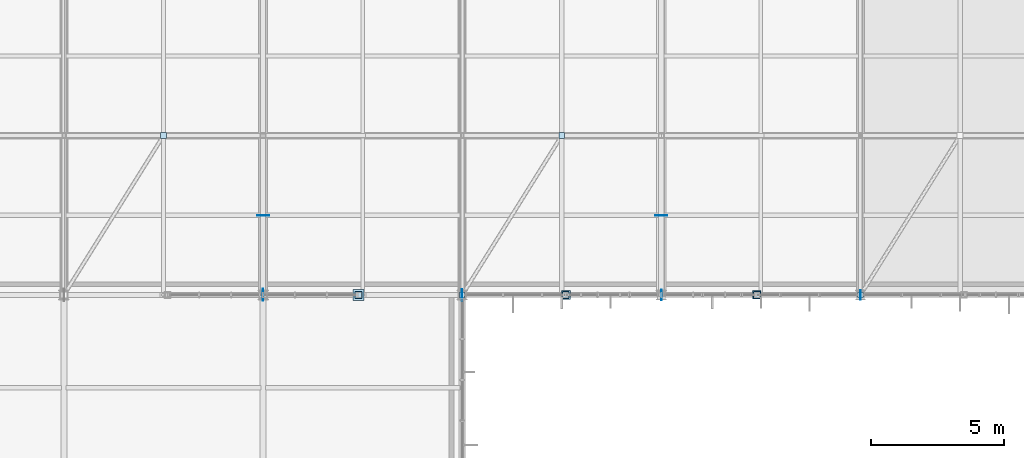
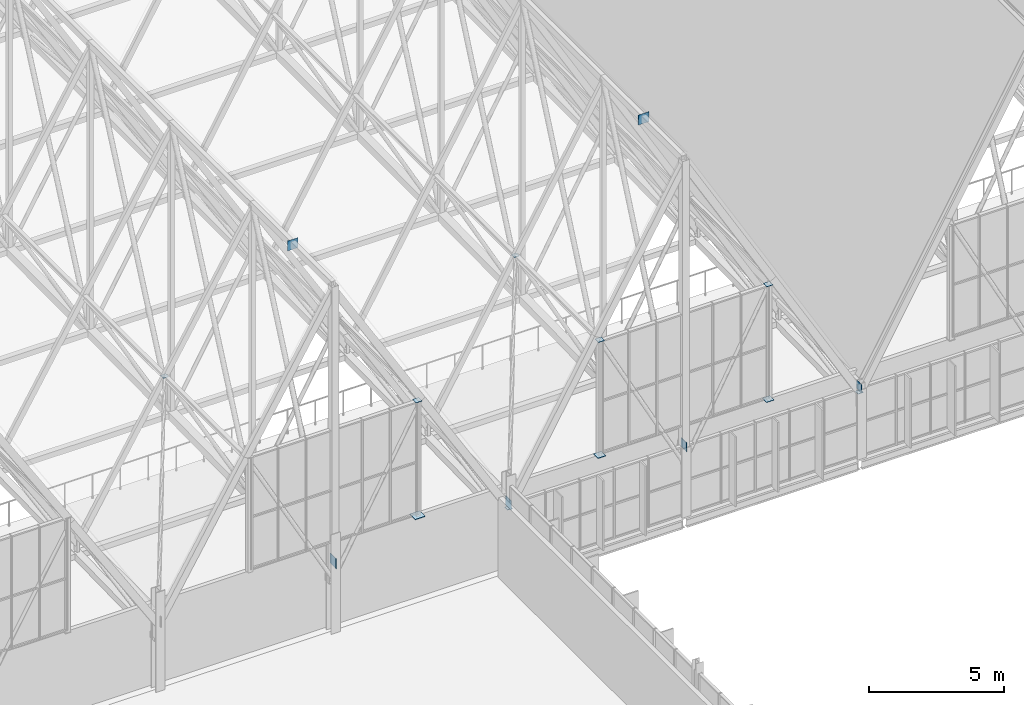
# One storey, part 293 of 324: 16 plates.
"""IFC4 building model written with IfcOpenShell, lengths in metres."""

from ifc_helpers import new_model, si_unit, direction, frame, origin, origin_2d, place, context, subcontext, project, spatial, rectangle, extrude, material, layer, layer_set, type_object, element, save


model = new_model("IFC4")

# Units and contexts
model_context = context("Model", 3, precision=1e-05, world=origin(), true_north=direction((0.0, 1.0)))
body_context = subcontext(model_context, "Body", "Model", "MODEL_VIEW")
ifc_project = project(units=[si_unit("LENGTHUNIT", "METRE"), si_unit("AREAUNIT", "SQUARE_METRE"), si_unit("VOLUMEUNIT", "CUBIC_METRE"), si_unit("PLANEANGLEUNIT", "RADIAN"), si_unit("MASSUNIT", "GRAM", prefix="KILO")], contexts=[model_context])

# Site, building, storey
site_placement = place(None, origin())
site = spatial("IfcSite", under=ifc_project, at=site_placement, CompositionType="ELEMENT")
building_placement = place(site_placement, origin())
building = spatial("IfcBuilding", under=site, at=building_placement, Name="Solvenia Promenade Tram Depot", CompositionType="ELEMENT")
storey_placement = place(building_placement, frame((0.0, 0.0, 4.5)))
storey = spatial("IfcBuildingStorey", under=building, at=storey_placement, Name="L01", CompositionType="ELEMENT", Elevation=4.5)

# Plates
ifc_material = material(Name="Structural steel ASTM A572 Gr. 50", Category="steel")
ifc_layer_1 = layer(ifc_material, 0.02392578125, Name="Structural steel ASTM A572 Gr. 50", Category="steel")
ifc_layer_set_1 = layer_set([ifc_layer_1], Name="Structural steel ASTM A572 Gr. 50")
plate_type_1 = type_object("IfcPlateType", Name="EndCap-CP1", PredefinedType="SHEET", material=ifc_layer_set_1)
plate_1_placement = place(storey_placement, frame((41.10009765625, 66.0, 3.93798828125), z_axis=(0.0, 0.0, 1.0), x_axis=(1.0, 0.0, 0.0)))
element("IfcPlate", 1, at=plate_1_placement, inside=storey, type_object=plate_type_1, Name="Gable Jamb Bottom Cap Plate 012", PredefinedType="SHEET", context=body_context, shape_type="SweptSolid", body=[
    extrude(rectangle(XDim=0.419921875, YDim=0.419921875, at=origin_2d()), origin(), (0.0, 0.0, 1.0), 0.02392578125),
])
ifc_layer_2 = layer(ifc_material, 0.02001953125, Name="Structural steel ASTM A572 Gr. 50", Category="steel")
ifc_layer_set_2 = layer_set([ifc_layer_2], Name="Structural steel ASTM A572 Gr. 50")
plate_type_2 = type_object("IfcPlateType", Name="EndCap-CP4", PredefinedType="SHEET", material=ifc_layer_set_2)
plate_2_placement = place(storey_placement, frame((41.10009765625, 66.0, 9.141845703125), z_axis=(0.0, 0.0, 1.0), x_axis=(1.0, 0.0, 0.0)))
element("IfcPlate", 2, at=plate_2_placement, inside=storey, type_object=plate_type_2, Name="Gable Jamb Top Cap Plate 012", PredefinedType="SHEET", context=body_context, shape_type="SweptSolid", body=[
    extrude(rectangle(XDim=0.260009765625, YDim=0.260009765625, at=origin_2d()), origin(), (0.0, 0.0, 1.0), 0.01611328125),
])
plate_3_placement = place(storey_placement, frame((48.89990234375, 66.0, 3.93994140625), z_axis=(0.0, 0.0, 1.0), x_axis=(1.0, 0.0, 0.0)))
element("IfcPlate", 3, at=plate_3_placement, inside=storey, type_object=plate_type_2, Name="Gable Jamb Bottom Cap Plate 015", PredefinedType="SHEET", context=body_context, shape_type="SweptSolid", body=[
    extrude(rectangle(XDim=0.340087890625, YDim=0.340087890625, at=origin_2d()), origin(), (0.0, 0.0, 1.0), 0.02001953125),
])
for number, where, z_axis, x_axis, name in (
    (4, (48.89990234375, 66.0, 9.141845703125), (0.0, 0.0, 1.0), (1.0, 0.0, 0.0), "Gable Jamb Top Cap Plate 015"),
    (5, (56.10009765625, 66.0, 9.141845703125), (0.0, 0.0, 1.0), (1.0, 0.0, 0.0), "Gable Jamb Top Cap Plate 016"),
):
    element("IfcPlate", number, at=place(storey_placement, frame(where, z_axis=z_axis, x_axis=x_axis)), inside=storey, type_object=plate_type_2, Name=name, PredefinedType="SHEET", context=body_context, shape_type="SweptSolid", body=[
        extrude(rectangle(XDim=0.260009765625, YDim=0.260009765625, at=origin_2d()), origin(), (0.0, 0.0, 1.0), 0.01611328125),
    ])
ifc_layer_3 = layer(ifc_material, 0.01904296875, Name="Structural steel ASTM A572 Gr. 50", Category="steel")
ifc_layer_set_3 = layer_set([ifc_layer_3], Name="Structural steel ASTM A572 Gr. 50")
plate_type_3 = type_object("IfcPlateType", Name="EndCap-CP5", PredefinedType="SHEET", material=ifc_layer_set_3)
for number, where, z_axis, x_axis, name in (
    (6, (33.75, 72.0, 9.169189453125), (0.0, 0.0, 1.0), (1.0, 0.0, 0.0), "Roof Brace Node Plate 005B"),
    (7, (45.0, 66.0, 2.91162109375), (0.0, 0.0, 1.0), (1.0, 0.0, 0.0), "Roof Brace Node Plate 007A"),
    (8, (48.75, 72.0, 9.380615234375), (0.0, 0.0, 1.0), (1.0, 0.0, 0.0), "Roof Brace Node Plate 007B"),
    (9, (60.0, 66.0, 2.90673828125), (0.0, 0.0, 1.0), (1.0, 0.0, 0.0), "Roof Brace Node Plate 009A"),
):
    element("IfcPlate", number, at=place(storey_placement, frame(where, z_axis=z_axis, x_axis=x_axis)), inside=storey, type_object=plate_type_3, Name=name, PredefinedType="SHEET", context=body_context, shape_type="SweptSolid", body=[
        extrude(rectangle(XDim=0.219970703125, YDim=0.219970703125, at=origin_2d()), origin(), (0.0, 0.0, 1.0), 0.01904296875),
    ])
plate_4_placement = place(storey_placement, frame((56.10009765625, 66.0, 3.9404296875), z_axis=(0.0, 0.0, 1.0), x_axis=(1.0, 0.0, 0.0)))
element("IfcPlate", 10, at=plate_4_placement, inside=storey, type_object=plate_type_3, Name="Gable Jamb Bottom Cap Plate 016", PredefinedType="SHEET", context=body_context, shape_type="SweptSolid", body=[
    extrude(rectangle(XDim=0.320068359375, YDim=0.320068359375, at=origin_2d()), origin(), (0.0, 0.0, 1.0), 0.01904296875),
])
ifc_layer_4 = layer(ifc_material, 0.01708984375, Name="Structural steel ASTM A572 Gr. 50", Category="steel")
ifc_layer_set_4 = layer_set([ifc_layer_4], Name="Structural steel ASTM A572 Gr. 50")
plate_type_4 = type_object("IfcPlateType", Name="Gusset-GP10", PredefinedType="USERDEFINED", material=ifc_layer_set_4)
plate_5_placement = place(storey_placement, frame((60.0, 66.0, 2.96484375), z_axis=(0.0, 0.0, 1.0), x_axis=(1.0, 0.0, 0.0)))
element("IfcPlate", 11, at=plate_5_placement, inside=storey, type_object=plate_type_4, Name="Arched Truss Shoe Gusset 9S", ObjectType="GUSSET PLATE", PredefinedType="USERDEFINED", context=body_context, shape_type="SweptSolid", body=[
    extrude(rectangle(XDim=0.01708984375, YDim=0.3701171875, at=origin_2d()), origin(), (0.0, 0.0, 1.0), 0.3701171875),
])
ifc_layer_5 = layer(ifc_material, 0.02392578125, Name="Structural steel ASTM A572 Gr. 50", Category="steel")
ifc_layer_set_5 = layer_set([ifc_layer_5], Name="Structural steel ASTM A572 Gr. 50")
plate_type_5 = type_object("IfcPlateType", Name="Gusset-GP4", PredefinedType="USERDEFINED", material=ifc_layer_set_5)
for number, where, z_axis, x_axis, name in (
    (12, (37.5, 69.0, 15.421875), (0.0, 0.0, 1.0), (1.0, 0.0, 0.0), "Ridge Node Gusset T06-S01"),
    (13, (52.5, 69.0, 15.86279296875), (0.0, 0.0, 1.0), (1.0, 0.0, 0.0), "Ridge Node Gusset T08-S01"),
):
    element("IfcPlate", number, at=place(storey_placement, frame(where, z_axis=z_axis, x_axis=x_axis)), inside=storey, type_object=plate_type_5, Name=name, ObjectType="GUSSET PLATE", PredefinedType="USERDEFINED", context=body_context, shape_type="SweptSolid", body=[
        extrude(rectangle(XDim=0.449951171875, YDim=0.02001953125, at=origin_2d()), origin(), (0.0, 0.0, 1.0), 0.449951171875),
    ])
ifc_layer_6 = layer(ifc_material, 0.02001953125, Name="Structural steel ASTM A572 Gr. 50", Category="steel")
ifc_layer_set_6 = layer_set([ifc_layer_6], Name="Structural steel ASTM A572 Gr. 50")
plate_type_6 = type_object("IfcPlateType", Name="Gusset-GP7", PredefinedType="USERDEFINED", material=ifc_layer_set_6)
plate_6_placement = place(storey_placement, frame((37.5, 66.0, 2.9248046875), z_axis=(0.0, 0.0, 1.0), x_axis=(1.0, 0.0, 0.0)))
element("IfcPlate", 14, at=plate_6_placement, inside=storey, type_object=plate_type_6, Name="Arched Truss Shoe Gusset 6S", ObjectType="GUSSET PLATE", PredefinedType="USERDEFINED", context=body_context, shape_type="SweptSolid", body=[
    extrude(rectangle(XDim=0.02001953125, YDim=0.449951171875, at=origin_2d()), origin(), (0.0, 0.0, 1.0), 0.449951171875),
])
ifc_layer_7 = layer(ifc_material, 0.01904296875, Name="Structural steel ASTM A572 Gr. 50", Category="steel")
ifc_layer_set_7 = layer_set([ifc_layer_7], Name="Structural steel ASTM A572 Gr. 50")
plate_type_7 = type_object("IfcPlateType", Name="Gusset-GP8", PredefinedType="USERDEFINED", material=ifc_layer_set_7)
plate_7_placement = place(storey_placement, frame((45.0, 66.0, 2.93994140625), z_axis=(0.0, 0.0, 1.0), x_axis=(1.0, 0.0, 0.0)))
element("IfcPlate", 15, at=plate_7_placement, inside=storey, type_object=plate_type_7, Name="Arched Truss Shoe Gusset 7S", ObjectType="GUSSET PLATE", PredefinedType="USERDEFINED", context=body_context, shape_type="SweptSolid", body=[
    extrude(rectangle(XDim=0.01904296875, YDim=0.419921875, at=origin_2d()), origin(), (0.0, 0.0, 1.0), 0.419921875),
])
ifc_layer_8 = layer(ifc_material, 0.01806640625, Name="Structural steel ASTM A572 Gr. 50", Category="steel")
ifc_layer_set_8 = layer_set([ifc_layer_8], Name="Structural steel ASTM A572 Gr. 50")
plate_type_8 = type_object("IfcPlateType", Name="Gusset-GP9", PredefinedType="USERDEFINED", material=ifc_layer_set_8)
plate_8_placement = place(storey_placement, frame((52.5, 66.0, 2.949951171875), z_axis=(0.0, 0.0, 1.0), x_axis=(1.0, 0.0, 0.0)))
element("IfcPlate", 16, at=plate_8_placement, inside=storey, type_object=plate_type_8, Name="Arched Truss Shoe Gusset 8S", ObjectType="GUSSET PLATE", PredefinedType="USERDEFINED", context=body_context, shape_type="SweptSolid", body=[
    extrude(rectangle(XDim=0.01806640625, YDim=0.39990234375, at=origin_2d()), origin(), (0.0, 0.0, 1.0), 0.39990234375),
])

save(model, "model.ifc")
